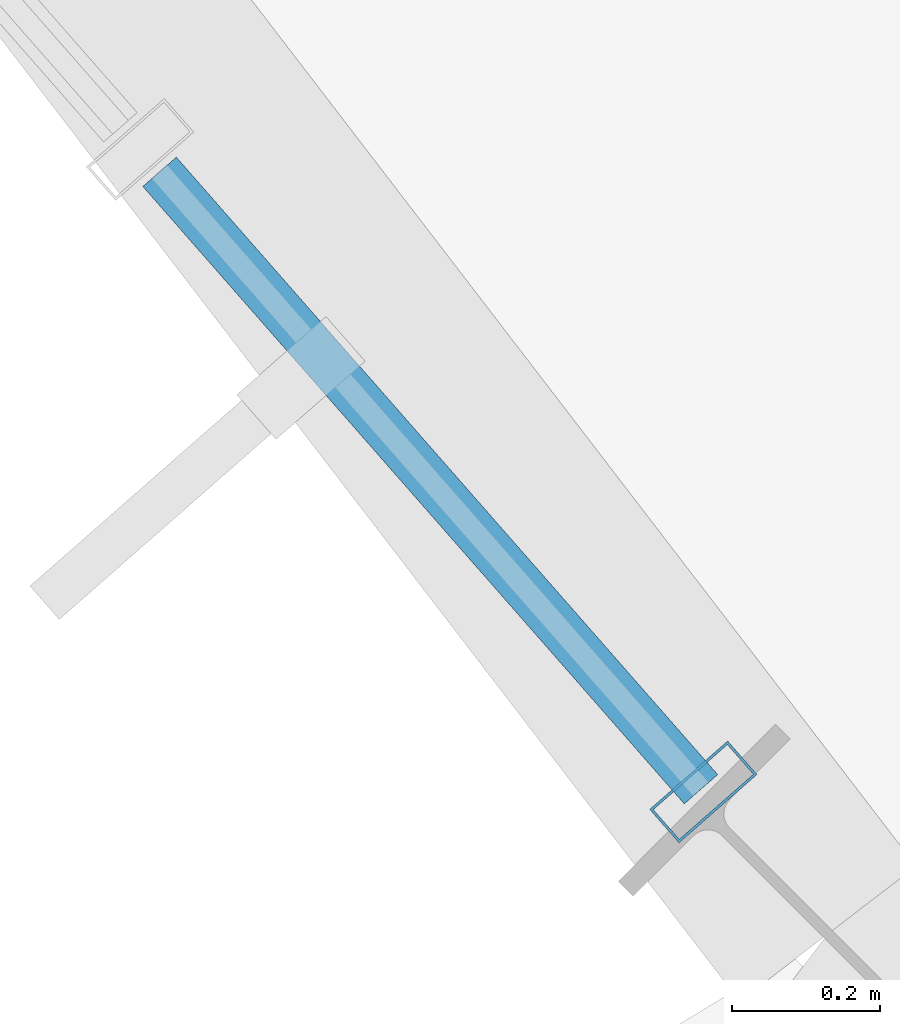
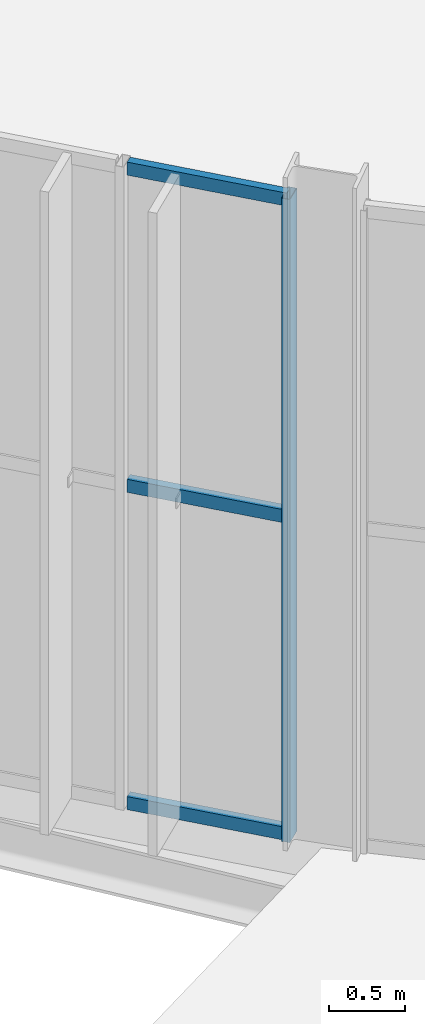
# One storey, part 30 of 158: 4 members, 1 element without a shape of its own.
"""IFC4 building model written with IfcOpenShell, lengths in metres."""

from ifc_helpers import new_model, si_unit, derived_unit, direction, frame, origin, origin_2d, place, context, subcontext, project, spatial, hollow_rectangle, extrude, material, material_profile, profile_set, type_object, element, aggregate, save


model = new_model("IFC4")

# Units and contexts
model_context = context("Model", 3, precision=1e-05, world=origin(), true_north=direction((0.0, 1.0)))
body_context = subcontext(model_context, "Body", "Model", "MODEL_VIEW")
ifc_project = project(units=[si_unit("LENGTHUNIT", "METRE"), si_unit("AREAUNIT", "SQUARE_METRE"), si_unit("VOLUMEUNIT", "CUBIC_METRE"), si_unit("PLANEANGLEUNIT", "RADIAN"), si_unit("MASSUNIT", "GRAM", prefix="KILO"), si_unit("THERMODYNAMICTEMPERATUREUNIT", "KELVIN"), si_unit("TIMEUNIT", "SECOND"), derived_unit("THERMALTRANSMITTANCEUNIT", [(si_unit("MASSUNIT", "GRAM", prefix="KILO"), 1), (si_unit("THERMODYNAMICTEMPERATUREUNIT", "KELVIN"), -1), (si_unit("TIMEUNIT", "SECOND"), -3)])], contexts=[model_context])

# Site, building, storey
site_placement = place(None, origin())
site = spatial("IfcSite", under=ifc_project, at=site_placement, CompositionType="ELEMENT")
building_placement = place(site_placement, origin())
building = spatial("IfcBuilding", under=site, at=building_placement, Name="Cambertide Market Hall", CompositionType="ELEMENT")
storey_placement = place(building_placement, origin())
storey = spatial("IfcBuildingStorey", under=building, at=storey_placement, Name="L01", CompositionType="ELEMENT", Elevation=0.0)

# Curtain wall, members
ifc_material_1 = material(Name="Marine Anodized Aluminium 6063-T6 AA25", Category="aluminium")
curtain_wall_type = type_object("IfcCurtainWallType", Name="Lantern Apse Chord Lower Curtain Wall", PredefinedType="USERDEFINED", material=ifc_material_1)
curtain_wall_placement = place(storey_placement, origin())
curtain_wall = element("IfcCurtainWall", 1, at=curtain_wall_placement, inside=storey, type_object=curtain_wall_type, Name="Level 1 Curtain Wall CW-V1AW-L01-18", ObjectType="UNITIZED CURTAIN WALL", PredefinedType="USERDEFINED")
ifc_material_2 = material(Name="Champagne Marine Anodized Aluminium 6063-T6 AA25", Category="aluminium")
ifc_material_profile_1 = material_profile(ifc_material_2, hollow_rectangle(XDim=0.06005859375, YDim=0.139892578125, WallThickness=0.00341796875, at=origin_2d()), Name="ALU MULLION 60x140")
ifc_profile_set_1 = profile_set([ifc_material_profile_1], Name="Champagne Marine Anodized Aluminium 6063-T6 AA25")
member_type_1 = type_object("IfcMemberType", Name="Curtain Wall Mullion ALU MULLION 60x140", PredefinedType="MULLION", material=ifc_profile_set_1)
member_1_placement = place(storey_placement, frame((27.689697265625, 58.049560546875, 0.0), z_axis=(0.0, 0.0, 1.0), x_axis=(-0.659345784014, 0.751839834741, 0.0)))
member_1 = element("IfcMember", 2, at=member_1_placement, type_object=member_type_1, Name="CW-V1AW-L01-18 Mullion 1", PredefinedType="MULLION", context=body_context, shape_type="SweptSolid", body=[
    extrude(hollow_rectangle(XDim=0.06005859375, YDim=0.139892578125, WallThickness=0.00341796875, at=origin_2d()), origin(), (0.0, 0.0, 1.0), 5.159912109375),
])
ifc_material_3 = material(Name="Champagne Marine Anodized Aluminium 6063-T6 AA25", Category="aluminium")
ifc_material_profile_2 = material_profile(ifc_material_3, hollow_rectangle(XDim=0.06005859375, YDim=0.10498046875, WallThickness=0.0029296875, at=origin_2d()), Name="ALU TRANSOM 60x105")
ifc_profile_set_2 = profile_set([ifc_material_profile_2], Name="Champagne Marine Anodized Aluminium 6063-T6 AA25")
member_type_2 = type_object("IfcMemberType", Name="Curtain Wall Transom ALU TRANSOM 60x105", PredefinedType="USERDEFINED", material=ifc_profile_set_2)
member_2_placement = place(storey_placement, frame((27.6865234375, 58.05322265625, 0.034912109375), z_axis=(-0.659330789082, 0.751852984677, 0.0), x_axis=(-0.751852984677, -0.659330789082, 0.0)))
member_2 = element("IfcMember", 3, at=member_2_placement, type_object=member_type_2, Name="CW-V1AW-L01-18 Transom 1-1", ObjectType="TRANSOM", PredefinedType="USERDEFINED", context=body_context, shape_type="SweptSolid", body=[
    extrude(hollow_rectangle(XDim=0.06005859375, YDim=0.10498046875, WallThickness=0.0029296875, at=origin_2d()), origin(), (0.0, 0.0, 1.0), 1.108154296875),
])
member_3_placement = place(storey_placement, frame((27.6865234375, 58.05322265625, 2.580078125), z_axis=(-0.659330789082, 0.751852984677, 0.0), x_axis=(-0.751852984677, -0.659330789082, 0.0)))
member_3 = element("IfcMember", 4, at=member_3_placement, type_object=member_type_2, Name="CW-V1AW-L01-18 Transom 2-1", ObjectType="TRANSOM", PredefinedType="USERDEFINED", context=body_context, shape_type="SweptSolid", body=[
    extrude(hollow_rectangle(XDim=0.06005859375, YDim=0.10498046875, WallThickness=0.0029296875, at=origin_2d()), origin(), (0.0, 0.0, 1.0), 1.108154296875),
])
member_4_placement = place(storey_placement, frame((27.6865234375, 58.05322265625, 5.125), z_axis=(-0.659330789082, 0.751852984677, 0.0), x_axis=(-0.751852984677, -0.659330789082, 0.0)))
member_4 = element("IfcMember", 5, at=member_4_placement, type_object=member_type_2, Name="CW-V1AW-L01-18 Transom 3-1", ObjectType="TRANSOM", PredefinedType="USERDEFINED", context=body_context, shape_type="SweptSolid", body=[
    extrude(hollow_rectangle(XDim=0.06005859375, YDim=0.10498046875, WallThickness=0.0029296875, at=origin_2d()), origin(), (0.0, 0.0, 1.0), 1.108154296875),
])
aggregate(curtain_wall, [member_1, member_2, member_3, member_4])

save(model, "model.ifc")
